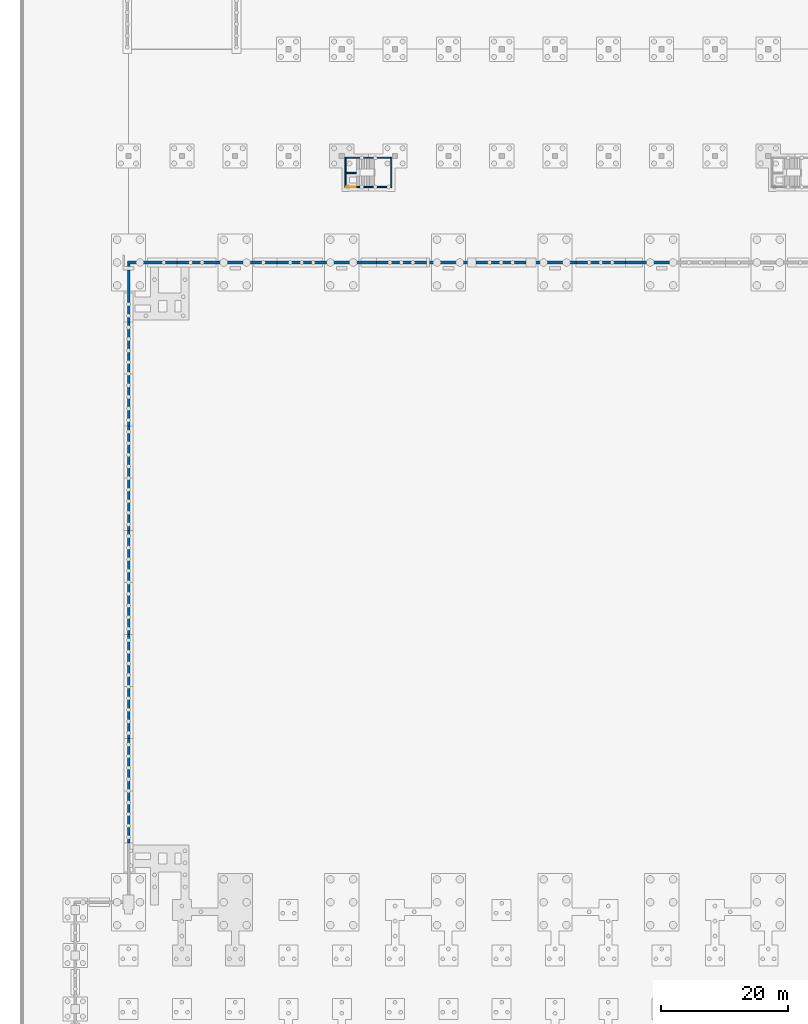
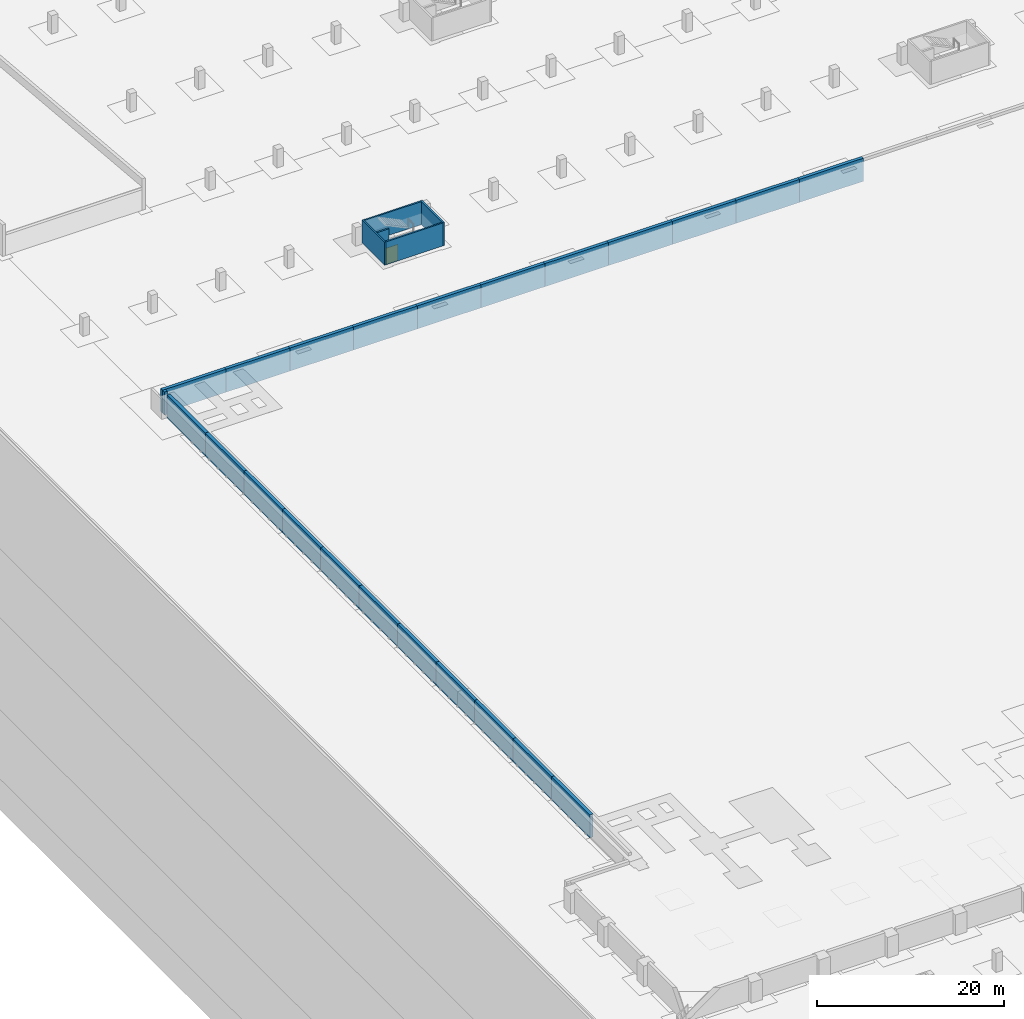
# One storey, part 41 of 67: 28 walls, 1 door, 1 opening.
"""IFC4 building model written with IfcOpenShell, lengths in metres."""

from ifc_helpers import new_model, si_unit, direction, frame, frame_2d, origin, place, context, subcontext, project, spatial, rectangle, extrude, material, layer, layer_set, type_object, element, fill, save


model = new_model("IFC4")

# Units and contexts
model_context = context("Model", 3, precision=1e-05, world=origin(), true_north=direction((0.0, 1.0)))
body_context = subcontext(model_context, "Body", "Model", "MODEL_VIEW")
ifc_project = project(units=[si_unit("LENGTHUNIT", "METRE"), si_unit("AREAUNIT", "SQUARE_METRE"), si_unit("VOLUMEUNIT", "CUBIC_METRE"), si_unit("PLANEANGLEUNIT", "RADIAN"), si_unit("MASSUNIT", "GRAM", prefix="KILO")], contexts=[model_context])

# Site, building, storey
site_placement = place(None, origin())
site = spatial("IfcSite", under=ifc_project, at=site_placement, CompositionType="ELEMENT")
building_placement = place(site_placement, origin())
building = spatial("IfcBuilding", under=site, at=building_placement, Name="Rain Tree Exposition and Congress Centre", CompositionType="ELEMENT")
storey_placement = place(building_placement, frame((0.0, 0.0, -3.0)))
storey = spatial("IfcBuildingStorey", under=building, at=storey_placement, Name="B1", CompositionType="ELEMENT", Elevation=-3.0)

# Walls
ifc_material_1 = material(Name="Concrete C40/50", Category="concrete")
ifc_layer_1 = layer(ifc_material_1, 0.199951171875)
ifc_layer_set_1 = layer_set([ifc_layer_1], Name="Concrete C40/50")
wall_type_1 = type_object("IfcWallType", Name="Exit stair wall 200", PredefinedType="PARTITIONING", material=ifc_layer_set_1)
for number, where, z_axis, x_axis, name in (
    (1, (42.60009765625, 213.39990234375, 0.0), (0.0, 0.0, 1.0), (0.0, 1.0, 0.0), "Exit stair N01 wall west"),
    (2, (49.800048828125, 213.39990234375, 0.0), (0.0, 0.0, 1.0), (0.0, 1.0, 0.0), "Exit stair N01 wall east"),
):
    element("IfcWall", number, at=place(storey_placement, frame(where, z_axis=z_axis, x_axis=x_axis)), inside=storey, type_object=wall_type_1, Name=name, PredefinedType="SOLIDWALL", context=body_context, shape_type="SweptSolid", body=[
        extrude(rectangle(XDim=4.800048828125, YDim=0.199951171875, at=frame_2d((2.39990234375, 0.0))), origin(), (0.0, 0.0, 1.0), 3.0),
    ])

# Wall, opening, door
wall_1_placement = place(storey_placement, frame((42.699951171875, 213.5, 0.0), z_axis=(0.0, 0.0, 1.0), x_axis=(1.0, 0.0, 0.0)))
wall_1 = element("IfcWall", 3, at=wall_1_placement, inside=storey, type_object=wall_type_1, Name="Exit stair N01 wall south", PredefinedType="SOLIDWALL", context=body_context, shape_type="SweptSolid", body=[
    extrude(rectangle(XDim=7.0, YDim=0.199951171875, at=frame_2d((3.5, 0.0))), origin(), (0.0, 0.0, 1.0), 3.0),
])
opening_placement = place(wall_1_placement, origin())
opening = element("IfcOpeningElement", 4, at=opening_placement, cuts=wall_1, Name="Opening DS139", PredefinedType="OPENING", context=body_context, shape_type="SweptSolid", body=[
    extrude(rectangle(XDim=1.5, YDim=2.10009765625, at=frame_2d((0.75, 1.050048828125))), frame((0.0, 0.10009765625, 0.0), z_axis=(0.0, -1.0, 0.0), x_axis=(1.0, 0.0, 0.0)), (0.0, 0.0, 1.0), 0.199951171875),
])
ifc_material_2 = material(Name="Powder-coated steel", Category="steel")
door_type = type_object("IfcDoorType", Name="Exit stair door 1500x2100", OperationType="NOTDEFINED", PredefinedType="DOOR", material=ifc_material_2)
door_placement = place(opening_placement, origin())
door = element("IfcDoor", 5, at=door_placement, inside=storey, type_object=door_type, Name="Exit stair N01 door B1", OperationType="SINGLE_SWING_LEFT", OverallHeight=2.10009765625, OverallWidth=1.5, PredefinedType="DOOR", context=body_context, shape_type="SweptSolid", body=[
    extrude(rectangle(XDim=1.5, YDim=2.10009765625, at=frame_2d((0.75, 1.050048828125))), frame((0.0, 0.02490234375, 0.0), z_axis=(0.0, -1.0, 0.0), x_axis=(1.0, 0.0, 0.0)), (0.0, 0.0, 1.0), 0.050048828125),
])
fill(opening, door)

# Walls
wall_2_placement = place(storey_placement, frame((42.699951171875, 218.10009765625, 0.0), z_axis=(0.0, 0.0, 1.0), x_axis=(1.0, 0.0, 0.0)))
element("IfcWall", 6, at=wall_2_placement, inside=storey, type_object=wall_type_1, Name="Exit stair N01 wall north", PredefinedType="SOLIDWALL", context=body_context, shape_type="SweptSolid", body=[
    extrude(rectangle(XDim=7.0, YDim=0.199951171875, at=frame_2d((3.5, 0.0))), origin(), (0.0, 0.0, 1.0), 3.0),
])
wall_3_placement = place(storey_placement, frame((42.699951171875, 215.699951171875, 0.0), z_axis=(0.0, 0.0, 1.0), x_axis=(1.0, 0.0, 0.0)))
element("IfcWall", 7, at=wall_3_placement, inside=storey, type_object=wall_type_1, Name="Exit stair N01 landing support", PredefinedType="SOLIDWALL", context=body_context, shape_type="SweptSolid", body=[
    extrude(rectangle(XDim=1.60009765625, YDim=0.199951171875, at=frame_2d((0.800048828125, 0.0))), origin(), (0.0, 0.0, 1.0), 2.800048828125),
])
ifc_material_3 = material(Name="Concrete C40/50", Category="concrete")
ifc_layer_2 = layer(ifc_material_3, 0.39990234375)
ifc_layer_set_2 = layer_set([ifc_layer_2], Name="Concrete C40/50")
wall_type_2 = type_object("IfcWallType", Name="Precast retaining wall 400", PredefinedType="SOLIDWALL", material=ifc_layer_set_2)
wall_4_placement = place(storey_placement, frame((8.39990234375, 110.158203125, 0.0), z_axis=(0.0, 0.0, 1.0), x_axis=(0.0, 1.0, 0.0)))
element("IfcWall", 8, at=wall_4_placement, inside=storey, type_object=wall_type_2, Name="Retaining wall 037", PredefinedType="SOLIDWALL", context=body_context, shape_type="SweptSolid", body=[
    extrude(rectangle(XDim=8.20849609375, YDim=0.39990234375, at=frame_2d((4.104248046875, 0.0))), origin(), (0.0, 0.0, 1.0), 3.0),
])
for number, where, z_axis, x_axis, name in (
    (9, (8.39990234375, 118.36669921875, 0.0), (0.0, 0.0, 1.0), (0.0, 1.0, 0.0), "Retaining wall 038"),
    (10, (8.39990234375, 126.574951171875, 0.0), (0.0, 0.0, 1.0), (0.0, 1.0, 0.0), "Retaining wall 039"),
):
    element("IfcWall", number, at=place(storey_placement, frame(where, z_axis=z_axis, x_axis=x_axis)), inside=storey, type_object=wall_type_2, Name=name, PredefinedType="SOLIDWALL", context=body_context, shape_type="SweptSolid", body=[
        extrude(rectangle(XDim=8.208251953125, YDim=0.39990234375, at=frame_2d((4.10400390625, 0.0))), origin(), (0.0, 0.0, 1.0), 3.0),
    ])
wall_5_placement = place(storey_placement, frame((8.39990234375, 134.783203125, 0.0), z_axis=(0.0, 0.0, 1.0), x_axis=(0.0, 1.0, 0.0)))
element("IfcWall", 11, at=wall_5_placement, inside=storey, type_object=wall_type_2, Name="Retaining wall 040", PredefinedType="SOLIDWALL", context=body_context, shape_type="SweptSolid", body=[
    extrude(rectangle(XDim=8.20849609375, YDim=0.39990234375, at=frame_2d((4.104248046875, 0.0))), origin(), (0.0, 0.0, 1.0), 3.0),
])
for number, where, z_axis, x_axis, name in (
    (12, (8.39990234375, 142.99169921875, 0.0), (0.0, 0.0, 1.0), (0.0, 1.0, 0.0), "Retaining wall 041"),
    (13, (8.39990234375, 151.199951171875, 0.0), (0.0, 0.0, 1.0), (0.0, 1.0, 0.0), "Retaining wall 042"),
):
    element("IfcWall", number, at=place(storey_placement, frame(where, z_axis=z_axis, x_axis=x_axis)), inside=storey, type_object=wall_type_2, Name=name, PredefinedType="SOLIDWALL", context=body_context, shape_type="SweptSolid", body=[
        extrude(rectangle(XDim=8.208251953125, YDim=0.39990234375, at=frame_2d((4.10400390625, 0.0))), origin(), (0.0, 0.0, 1.0), 3.0),
    ])
wall_6_placement = place(storey_placement, frame((8.39990234375, 159.408203125, 0.0), z_axis=(0.0, 0.0, 1.0), x_axis=(0.0, 1.0, 0.0)))
element("IfcWall", 14, at=wall_6_placement, inside=storey, type_object=wall_type_2, Name="Retaining wall 043", PredefinedType="SOLIDWALL", context=body_context, shape_type="SweptSolid", body=[
    extrude(rectangle(XDim=8.20849609375, YDim=0.39990234375, at=frame_2d((4.104248046875, 0.0))), origin(), (0.0, 0.0, 1.0), 3.0),
])
for number, where, z_axis, x_axis, name in (
    (15, (8.39990234375, 167.61669921875, 0.0), (0.0, 0.0, 1.0), (0.0, 1.0, 0.0), "Retaining wall 044"),
    (16, (8.39990234375, 175.824951171875, 0.0), (0.0, 0.0, 1.0), (0.0, 1.0, 0.0), "Retaining wall 045"),
):
    element("IfcWall", number, at=place(storey_placement, frame(where, z_axis=z_axis, x_axis=x_axis)), inside=storey, type_object=wall_type_2, Name=name, PredefinedType="SOLIDWALL", context=body_context, shape_type="SweptSolid", body=[
        extrude(rectangle(XDim=8.208251953125, YDim=0.39990234375, at=frame_2d((4.10400390625, 0.0))), origin(), (0.0, 0.0, 1.0), 3.0),
    ])
wall_7_placement = place(storey_placement, frame((8.39990234375, 184.033203125, 0.0), z_axis=(0.0, 0.0, 1.0), x_axis=(0.0, 1.0, 0.0)))
element("IfcWall", 17, at=wall_7_placement, inside=storey, type_object=wall_type_2, Name="Retaining wall 046", PredefinedType="SOLIDWALL", context=body_context, shape_type="SweptSolid", body=[
    extrude(rectangle(XDim=8.20849609375, YDim=0.39990234375, at=frame_2d((4.104248046875, 0.0))), origin(), (0.0, 0.0, 1.0), 3.0),
])
wall_8_placement = place(storey_placement, frame((8.39990234375, 192.24169921875, 0.0), z_axis=(0.0, 0.0, 1.0), x_axis=(0.0, 1.0, 0.0)))
element("IfcWall", 18, at=wall_8_placement, inside=storey, type_object=wall_type_2, Name="Retaining wall 047", PredefinedType="SOLIDWALL", context=body_context, shape_type="SweptSolid", body=[
    extrude(rectangle(XDim=8.208251953125, YDim=0.39990234375, at=frame_2d((4.10400390625, 0.0))), origin(), (0.0, 0.0, 1.0), 3.0),
])
wall_9_placement = place(storey_placement, frame((8.39990234375, 201.0, 0.0), z_axis=(0.0, 0.0, 1.0), x_axis=(0.0, 1.0, 0.0)))
element("IfcWall", 19, at=wall_9_placement, inside=storey, type_object=wall_type_2, Name="Retaining wall 048", PredefinedType="SOLIDWALL", context=body_context, shape_type="SweptSolid", body=[
    extrude(rectangle(XDim=0.39990234375, YDim=0.39990234375, at=frame_2d((0.199951171875, 0.0))), origin(), (0.0, 0.0, 1.0), 3.0),
])
wall_10_placement = place(storey_placement, frame((8.199951171875, 201.60009765625, 0.0), z_axis=(0.0, 0.0, 1.0), x_axis=(1.0, 0.0, 0.0)))
element("IfcWall", 20, at=wall_10_placement, inside=storey, type_object=wall_type_2, Name="Retaining wall 049", PredefinedType="SOLIDWALL", context=body_context, shape_type="SweptSolid", body=[
    extrude(rectangle(XDim=7.853271484375, YDim=0.39990234375, at=frame_2d((3.9267578125, 0.0))), origin(), (0.0, 0.0, 1.0), 3.0),
])
wall_11_placement = place(storey_placement, frame((16.05322265625, 201.60009765625, 0.0), z_axis=(0.0, 0.0, 1.0), x_axis=(1.0, 0.0, 0.0)))
element("IfcWall", 21, at=wall_11_placement, inside=storey, type_object=wall_type_2, Name="Retaining wall 050", PredefinedType="SOLIDWALL", context=body_context, shape_type="SweptSolid", body=[
    extrude(rectangle(XDim=7.853515625, YDim=0.39990234375, at=frame_2d((3.9267578125, 0.0))), origin(), (0.0, 0.0, 1.0), 3.0),
])
for number, where, z_axis, x_axis, name in (
    (22, (23.90673828125, 201.60009765625, 0.0), (0.0, 0.0, 1.0), (1.0, 0.0, 0.0), "Retaining wall 051"),
    (23, (31.760009765625, 201.60009765625, 0.0), (0.0, 0.0, 1.0), (1.0, 0.0, 0.0), "Retaining wall 052"),
):
    element("IfcWall", number, at=place(storey_placement, frame(where, z_axis=z_axis, x_axis=x_axis)), inside=storey, type_object=wall_type_2, Name=name, PredefinedType="SOLIDWALL", context=body_context, shape_type="SweptSolid", body=[
        extrude(rectangle(XDim=7.853271484375, YDim=0.39990234375, at=frame_2d((3.9267578125, 0.0))), origin(), (0.0, 0.0, 1.0), 3.0),
    ])
wall_12_placement = place(storey_placement, frame((39.61328125, 201.60009765625, 0.0), z_axis=(0.0, 0.0, 1.0), x_axis=(1.0, 0.0, 0.0)))
element("IfcWall", 24, at=wall_12_placement, inside=storey, type_object=wall_type_2, Name="Retaining wall 053", PredefinedType="SOLIDWALL", context=body_context, shape_type="SweptSolid", body=[
    extrude(rectangle(XDim=7.853515625, YDim=0.39990234375, at=frame_2d((3.9267578125, 0.0))), origin(), (0.0, 0.0, 1.0), 3.0),
])
for number, where, z_axis, x_axis, name in (
    (25, (47.466796875, 201.60009765625, 0.0), (0.0, 0.0, 1.0), (1.0, 0.0, 0.0), "Retaining wall 054"),
    (26, (55.320068359375, 201.60009765625, 0.0), (0.0, 0.0, 1.0), (1.0, 0.0, 0.0), "Retaining wall 055"),
    (27, (63.17333984375, 201.60009765625, 0.0), (0.0, 0.0, 1.0), (1.0, 0.0, 0.0), "Retaining wall 056"),
    (28, (71.026611328125, 201.60009765625, 0.0), (0.0, 0.0, 1.0), (1.0, 0.0, 0.0), "Retaining wall 057"),
):
    element("IfcWall", number, at=place(storey_placement, frame(where, z_axis=z_axis, x_axis=x_axis)), inside=storey, type_object=wall_type_2, Name=name, PredefinedType="SOLIDWALL", context=body_context, shape_type="SweptSolid", body=[
        extrude(rectangle(XDim=7.853271484375, YDim=0.39990234375, at=frame_2d((3.9267578125, 0.0))), origin(), (0.0, 0.0, 1.0), 3.0),
    ])
wall_13_placement = place(storey_placement, frame((78.8798828125, 201.60009765625, 0.0), z_axis=(0.0, 0.0, 1.0), x_axis=(1.0, 0.0, 0.0)))
element("IfcWall", 29, at=wall_13_placement, inside=storey, type_object=wall_type_2, Name="Retaining wall 058", PredefinedType="SOLIDWALL", context=body_context, shape_type="SweptSolid", body=[
    extrude(rectangle(XDim=7.853515625, YDim=0.39990234375, at=frame_2d((3.9267578125, 0.0))), origin(), (0.0, 0.0, 1.0), 3.0),
])
wall_14_placement = place(storey_placement, frame((86.7333984375, 201.60009765625, 0.0), z_axis=(0.0, 0.0, 1.0), x_axis=(1.0, 0.0, 0.0)))
element("IfcWall", 30, at=wall_14_placement, inside=storey, type_object=wall_type_2, Name="Retaining wall 059", PredefinedType="SOLIDWALL", context=body_context, shape_type="SweptSolid", body=[
    extrude(rectangle(XDim=7.853271484375, YDim=0.39990234375, at=frame_2d((3.9267578125, 0.0))), origin(), (0.0, 0.0, 1.0), 3.0),
])

save(model, "model.ifc")
